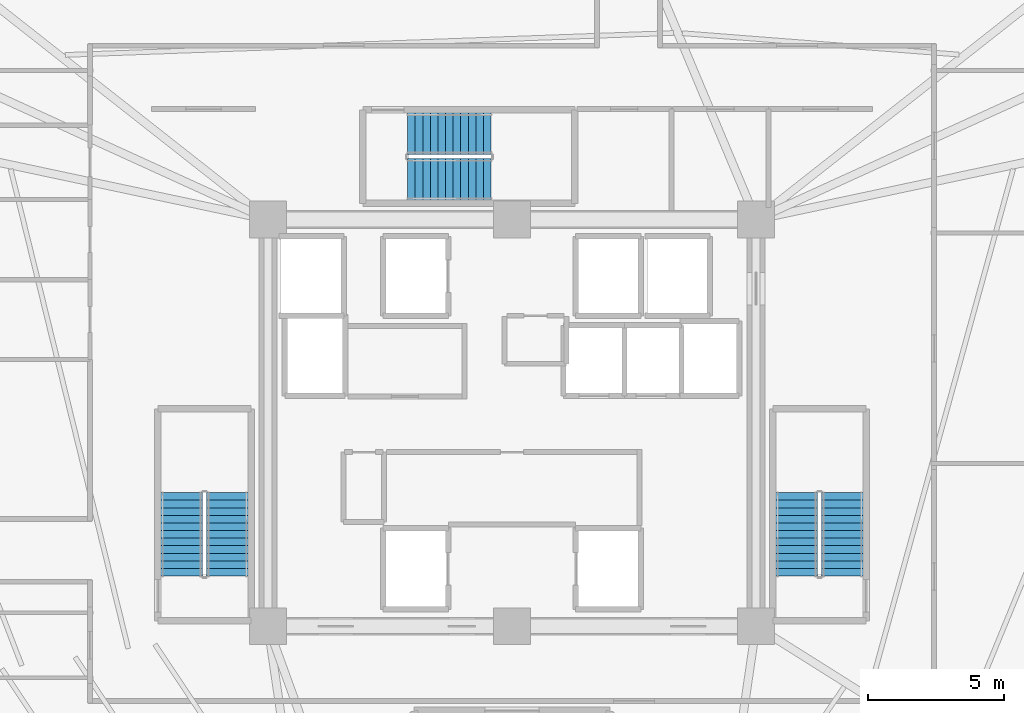
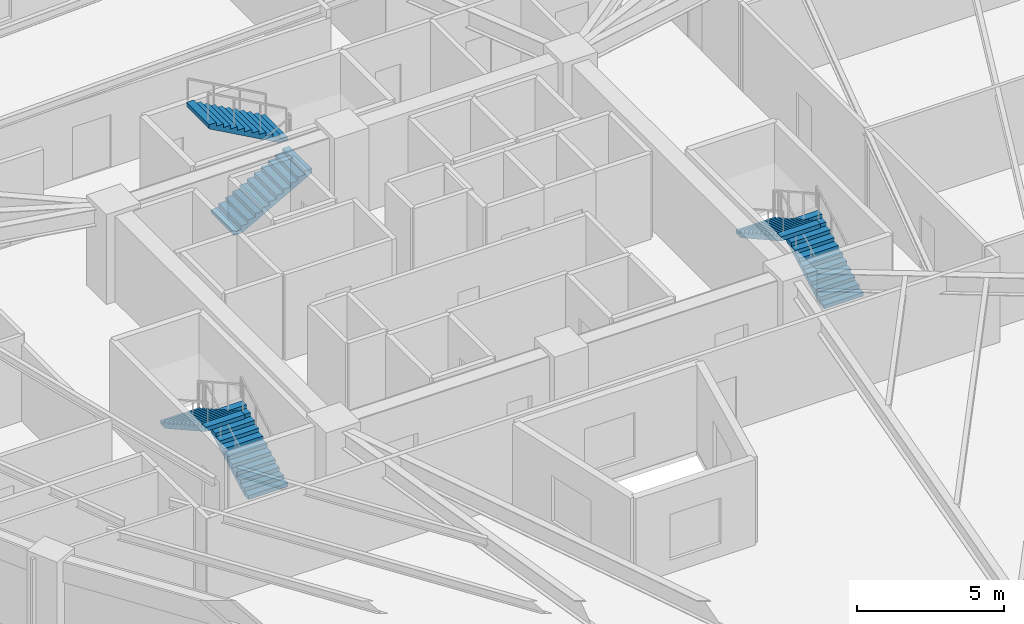
# One storey, part 7 of 8: 6 stair flights, 3 elements without a shape of their own.
"""IFC4 building model written with IfcOpenShell, lengths in metres."""

import ifcopenshell
import ifcopenshell.guid

model = None  # the IFC model being written
_history = None  # IfcOwnerHistory: only IFC2X3 demands one
_inside = {}  # id of a spatial element -> (the spatial element, [elements in it])
_under = {}  # id of a project, library or spatial element -> (it, [spatial elements below it])
_declared = {}  # id of a project -> (the project, [libraries it declares])
_typed = {}  # id of a type object -> (the type object, [elements of that type])
_made_of = {}  # id of a material, layer set ... -> (it, [elements and type objects made of it])


def new_model(schema):
    """Start an empty IFC model of exactly this schema.

    Asked for "IFC4X3", IfcOpenShell would pick the latest addendum, in which some entities
    have other attributes; the version numbers below select the first issue.
    IFC2X3 requires an IfcOwnerHistory on every rooted entity: one is made here for all.
    """
    global model, _history
    if schema == "IFC4X3":
        model = ifcopenshell.file(schema_version=(4, 3, 0, 0))
    else:
        model = ifcopenshell.file(schema=schema)
    _inside.clear()
    _under.clear()
    _declared.clear()
    _typed.clear()
    _made_of.clear()
    _history = None
    if model.schema == "IFC2X3":
        org = make("IfcOrganization", Name="unknown")
        user = make(
            "IfcPersonAndOrganization",
            ThePerson=make("IfcPerson", FamilyName="unknown"),
            TheOrganization=org,
        )
        app = make(
            "IfcApplication",
            ApplicationDeveloper=org,
            Version="unknown",
            ApplicationFullName="unknown",
            ApplicationIdentifier="unknown",
        )
        _history = make(
            "IfcOwnerHistory",
            OwningUser=user,
            OwningApplication=app,
            ChangeAction="ADDED",
            CreationDate=0,
        )
    return model


def make(cls, **values):
    """One entity of the class cls with the attributes given. An attribute that is None is left unset."""
    return model.create_entity(
        cls, **{name: value for name, value in values.items() if value is not None}
    )


def rooted(cls, **values):
    """An entity with a GlobalId (a new one), such as an element, a storey or a relation."""
    return make(cls, GlobalId=ifcopenshell.guid.new(), OwnerHistory=_history, **values)


def si_unit(unit_type, name, prefix=None):
    """IfcSIUnit, for example si_unit("LENGTHUNIT", "METRE", prefix="MILLI")."""
    return make("IfcSIUnit", UnitType=unit_type, Prefix=prefix, Name=name)


def assignment(units):
    """IfcUnitAssignment: the units of a project."""
    return None if units is None else make("IfcUnitAssignment", Units=units)


def point(xyz):
    """IfcCartesianPoint."""
    return None if xyz is None else make("IfcCartesianPoint", Coordinates=xyz)


def direction(xyz):
    """IfcDirection."""
    return None if xyz is None else make("IfcDirection", DirectionRatios=xyz)


def frame(location, z_axis=None, x_axis=None):
    """IfcAxis2Placement3D, a coordinate frame: its origin and axes. An axis left out is left unset."""
    return make(
        "IfcAxis2Placement3D",
        Location=point(location),
        Axis=direction(z_axis),
        RefDirection=direction(x_axis),
    )


def origin():
    """The frame at (0, 0, 0) with its axes left unset."""
    return frame((0.0, 0.0, 0.0))


def place(relative_to, where):
    """IfcLocalPlacement: puts the frame where relative to a parent placement (None: the world)."""
    return make(
        "IfcLocalPlacement", PlacementRelTo=relative_to, RelativePlacement=where
    )


def context(
    kind, dimensions, precision=None, world=None, true_north=None, identifier=None
):
    """IfcGeometricRepresentationContext, for example the 3D "Model" context."""
    return make(
        "IfcGeometricRepresentationContext",
        ContextIdentifier=identifier,
        ContextType=kind,
        CoordinateSpaceDimension=dimensions,
        Precision=precision,
        WorldCoordinateSystem=world,
        TrueNorth=true_north,
    )


def subcontext(parent, identifier, kind, view, scale=None):
    """IfcGeometricRepresentationSubContext, for example "Body" below "Model"."""
    return make(
        "IfcGeometricRepresentationSubContext",
        ContextIdentifier=identifier,
        ContextType=kind,
        ParentContext=parent,
        TargetScale=scale,
        TargetView=view,
    )


def project(units=None, contexts=None):
    """IfcProject with its units and contexts."""
    return rooted(
        "IfcProject",
        Name="project",
        RepresentationContexts=contexts,
        UnitsInContext=assignment(units),
    )


def spatial(cls, under=None, at=None, **own):
    """A site, building, storey or space (cls), placed at a placement, below another one or the project."""
    s = rooted(cls, ObjectPlacement=at, **own)
    if under is not None:
        _under.setdefault(under.id(), (under, []))[1].append(s)
    return s


def polyline(points):
    """IfcPolyline through the points."""
    return make("IfcPolyline", Points=[point(p) for p in points])


def outline(outer, holes=None, kind="AREA"):
    """IfcArbitraryClosedProfileDef: a profile drawn as a closed curve; with holes, ...WithVoids."""
    if holes is None:
        return make("IfcArbitraryClosedProfileDef", ProfileType=kind, OuterCurve=outer)
    return make(
        "IfcArbitraryProfileDefWithVoids",
        ProfileType=kind,
        OuterCurve=outer,
        InnerCurves=holes,
    )


def extrude(swept, where, along, depth):
    """IfcExtrudedAreaSolid: the profile swept, set in the frame where, extruded along a direction by depth."""
    return make(
        "IfcExtrudedAreaSolid",
        SweptArea=swept,
        Position=where,
        ExtrudedDirection=direction(along),
        Depth=depth,
    )


def shape(context_of_items, identifier, shape_type, items):
    """IfcShapeRepresentation: the items that make up one representation, for example the "Body"."""
    return make(
        "IfcShapeRepresentation",
        ContextOfItems=context_of_items,
        RepresentationIdentifier=identifier,
        RepresentationType=shape_type,
        Items=items,
    )


def material(Name=None, Category=None):
    """IfcMaterial."""
    return make("IfcMaterial", Name=Name, Category=Category)


def made_of(thing, what):
    """Note that an element or type object is made of a material, layer set ...; save() writes the relation."""
    if what is not None:
        _made_of.setdefault(what.id(), (what, []))[1].append(thing)
    return thing


def type_object(cls, material=None, **own):
    """A type object (cls), such as IfcWallType, which elements share."""
    return made_of(rooted(cls, **own), material)


def element(
    cls,
    number,
    at=None,
    inside=None,
    cuts=None,
    type_object=None,
    material=None,
    context=None,
    identifier="Body",
    shape_type=None,
    held_by="IfcProductDefinitionShape",
    body=None,
    shapes=None,
    **own,
):
    """One element of the class cls, such as IfcWall. Its Tag is "e" and its number.

    at: its placement. inside: the storey or other place that contains it. cuts: it is an
    opening in that element (IfcRelVoidsElement). A single representation is given by context,
    identifier, shape_type and body (its items); several are given by shapes. held_by: the class
    of the entity that holds the representations. save() writes the other relations.
    """
    e = rooted(cls, Tag="e%d" % number, ObjectPlacement=at, **own)
    if body is not None:
        shapes = [shape(context, identifier, shape_type, body)]
    if shapes is not None:
        e.Representation = make(held_by, Representations=shapes)
    if inside is not None:
        _inside.setdefault(inside.id(), (inside, []))[1].append(e)
    if cuts is not None:
        rooted(
            "IfcRelVoidsElement", RelatingBuildingElement=cuts, RelatedOpeningElement=e
        )
    if type_object is not None:
        _typed.setdefault(type_object.id(), (type_object, []))[1].append(e)
    return made_of(e, material)


def aggregate(whole, parts):
    """IfcRelAggregates: a whole, such as a stair, and the parts it consists of."""
    return rooted("IfcRelAggregates", RelatingObject=whole, RelatedObjects=parts)


def save(model, path):
    """Write the relations noted so far, then the file.

    IfcRelAggregates (storeys below a building ...), IfcRelContainedInSpatialStructure (elements
    in a storey), IfcRelDefinesByType, IfcRelAssociatesMaterial and IfcRelDeclares: one each for
    every whole, place, type object, material and project.
    """
    for whole, parts in _under.values():
        aggregate(whole, parts)
    for where, things in _inside.values():
        rooted(
            "IfcRelContainedInSpatialStructure",
            RelatedElements=things,
            RelatingStructure=where,
        )
    for kind, things in _typed.values():
        rooted("IfcRelDefinesByType", RelatedObjects=things, RelatingType=kind)
    for what, things in _made_of.values():
        rooted("IfcRelAssociatesMaterial", RelatedObjects=things, RelatingMaterial=what)
    for by, libraries in _declared.values():
        rooted("IfcRelDeclares", RelatingContext=by, RelatedDefinitions=libraries)
    model.write(path)


model = new_model("IFC4")

# Units and contexts
model_context = context("Model", 3, precision=1e-05, world=origin(), true_north=direction((0.0, 1.0)))
body_context = subcontext(model_context, "Body", "Model", "MODEL_VIEW")
ifc_project = project(units=[si_unit("LENGTHUNIT", "METRE"), si_unit("AREAUNIT", "SQUARE_METRE"), si_unit("VOLUMEUNIT", "CUBIC_METRE"), si_unit("PLANEANGLEUNIT", "RADIAN"), si_unit("MASSUNIT", "GRAM", prefix="KILO")], contexts=[model_context])

# Site, building, storey
site_placement = place(None, origin())
site = spatial("IfcSite", under=ifc_project, at=site_placement, CompositionType="ELEMENT")
building_placement = place(site_placement, origin())
building = spatial("IfcBuilding", under=site, at=building_placement, Name="Liaohun Quay Tower", CompositionType="ELEMENT")
storey_placement = place(building_placement, frame((0.0, 0.0, 262.5)))
storey = spatial("IfcBuildingStorey", under=building, at=storey_placement, Name="L68", CompositionType="ELEMENT", Elevation=262.5)

# Stair, stair flights
ifc_material = material(Name="Concrete C45", Category="concrete")
stair_type = type_object("IfcStairType", Name="STR-CORE-OFF", PredefinedType="HALF_TURN_STAIR", material=ifc_material)
stair_1_placement = place(storey_placement, origin())
stair_1 = element("IfcStair", 1, at=stair_1_placement, inside=storey, type_object=stair_type, Name="L68 Smokeproof Core Exit Stair ST-1", PredefinedType="HALF_TURN_STAIR")
stair_flight_type = type_object("IfcStairFlightType", Name="FLT-CORE-155", PredefinedType="STRAIGHT", material=ifc_material)
stair_flight_1_placement = place(storey_placement, frame((49.5048828125, 48.35009765625, 0.0), z_axis=(0.0, 0.0, 1.0), x_axis=(0.0, 1.0, 0.0)))
stair_flight_1 = element("IfcStairFlight", 2, at=stair_flight_1_placement, type_object=stair_flight_type, Name="ST-1 flight 1", NumberOfRisers=12, NumberOfTreads=11, PredefinedType="STRAIGHT", RiserHeight=0.15625, TreadLength=0.28, context=body_context, shape_type="SweptSolid", body=[
    extrude(outline(polyline([(0.0, 0.0), (0.0, 0.15625), (0.280029296875, 0.15625), (0.280029296875, 0.3125), (0.56005859375, 0.3125), (0.56005859375, 0.46875), (0.840087890625, 0.46875), (0.840087890625, 0.625), (1.1201171875, 0.625), (1.1201171875, 0.78125), (1.39990234375, 0.78125), (1.39990234375, 0.9375), (1.679931640625, 0.9375), (1.679931640625, 1.09375), (1.9599609375, 1.09375), (1.9599609375, 1.25), (2.239990234375, 1.25), (2.239990234375, 1.40625), (2.52001953125, 1.40625), (2.52001953125, 1.5625), (2.800048828125, 1.5625), (2.800048828125, 1.71875), (3.080078125, 1.71875), (3.080078125, 1.875), (3.080078125, 1.547119140625), (0.3076171875, 0.0), (0.0, 0.0)])), frame((0.0, 0.77490234375, 0.0), z_axis=(0.0, -1.0, 0.0), x_axis=(1.0, 0.0, 0.0)), (0.0, 0.0, 1.0), 1.550048828125),
])
stair_flight_2_placement = place(storey_placement, frame((47.81494140625, 51.429931640625, 1.875), z_axis=(0.0, 0.0, 1.0), x_axis=(0.0, -1.0, 0.0)))
stair_flight_2 = element("IfcStairFlight", 3, at=stair_flight_2_placement, type_object=stair_flight_type, Name="ST-1 flight 2", NumberOfRisers=12, NumberOfTreads=11, PredefinedType="STRAIGHT", RiserHeight=0.15625, TreadLength=0.28, context=body_context, shape_type="SweptSolid", body=[
    extrude(outline(polyline([(0.0, 0.0), (0.0, 0.15625), (0.280029296875, 0.15625), (0.280029296875, 0.3125), (0.56005859375, 0.3125), (0.56005859375, 0.46875), (0.840087890625, 0.46875), (0.840087890625, 0.625), (1.1201171875, 0.625), (1.1201171875, 0.78125), (1.39990234375, 0.78125), (1.39990234375, 0.9375), (1.679931640625, 0.9375), (1.679931640625, 1.09375), (1.9599609375, 1.09375), (1.9599609375, 1.25), (2.239990234375, 1.25), (2.239990234375, 1.40625), (2.52001953125, 1.40625), (2.52001953125, 1.5625), (2.800048828125, 1.5625), (2.800048828125, 1.71875), (3.080078125, 1.71875), (3.080078125, 1.875), (3.080078125, 1.547119140625), (0.3076171875, 0.0), (0.0, 0.0)])), frame((0.0, 0.77490234375, 0.0), z_axis=(0.0, -1.0, 0.0), x_axis=(1.0, 0.0, 0.0)), (0.0, 0.0, 1.0), 1.550048828125),
])
aggregate(stair_1, [stair_flight_1, stair_flight_2])

stair_2_placement = place(storey_placement, origin())
stair_2 = element("IfcStair", 4, at=stair_2_placement, inside=storey, type_object=stair_type, Name="L68 Smokeproof Core Exit Stair ST-2", PredefinedType="HALF_TURN_STAIR")
stair_flight_3_placement = place(storey_placement, frame((72.18505859375, 48.35009765625, 0.0), z_axis=(0.0, 0.0, 1.0), x_axis=(0.0, 1.0, 0.0)))
stair_flight_3 = element("IfcStairFlight", 5, at=stair_flight_3_placement, type_object=stair_flight_type, Name="ST-2 flight 1", NumberOfRisers=12, NumberOfTreads=11, PredefinedType="STRAIGHT", RiserHeight=0.15625, TreadLength=0.28, context=body_context, shape_type="SweptSolid", body=[
    extrude(outline(polyline([(0.0, 0.0), (0.0, 0.15625), (0.280029296875, 0.15625), (0.280029296875, 0.3125), (0.56005859375, 0.3125), (0.56005859375, 0.46875), (0.840087890625, 0.46875), (0.840087890625, 0.625), (1.1201171875, 0.625), (1.1201171875, 0.78125), (1.39990234375, 0.78125), (1.39990234375, 0.9375), (1.679931640625, 0.9375), (1.679931640625, 1.09375), (1.9599609375, 1.09375), (1.9599609375, 1.25), (2.239990234375, 1.25), (2.239990234375, 1.40625), (2.52001953125, 1.40625), (2.52001953125, 1.5625), (2.800048828125, 1.5625), (2.800048828125, 1.71875), (3.080078125, 1.71875), (3.080078125, 1.875), (3.080078125, 1.547119140625), (0.3076171875, 0.0), (0.0, 0.0)])), frame((0.0, 0.77490234375, 0.0), z_axis=(0.0, -1.0, 0.0), x_axis=(1.0, 0.0, 0.0)), (0.0, 0.0, 1.0), 1.550048828125),
])
stair_flight_4_placement = place(storey_placement, frame((70.4951171875, 51.429931640625, 1.875), z_axis=(0.0, 0.0, 1.0), x_axis=(0.0, -1.0, 0.0)))
stair_flight_4 = element("IfcStairFlight", 6, at=stair_flight_4_placement, type_object=stair_flight_type, Name="ST-2 flight 2", NumberOfRisers=12, NumberOfTreads=11, PredefinedType="STRAIGHT", RiserHeight=0.15625, TreadLength=0.28, context=body_context, shape_type="SweptSolid", body=[
    extrude(outline(polyline([(0.0, 0.0), (0.0, 0.15625), (0.280029296875, 0.15625), (0.280029296875, 0.3125), (0.56005859375, 0.3125), (0.56005859375, 0.46875), (0.840087890625, 0.46875), (0.840087890625, 0.625), (1.1201171875, 0.625), (1.1201171875, 0.78125), (1.39990234375, 0.78125), (1.39990234375, 0.9375), (1.679931640625, 0.9375), (1.679931640625, 1.09375), (1.9599609375, 1.09375), (1.9599609375, 1.25), (2.239990234375, 1.25), (2.239990234375, 1.40625), (2.52001953125, 1.40625), (2.52001953125, 1.5625), (2.800048828125, 1.5625), (2.800048828125, 1.71875), (3.080078125, 1.71875), (3.080078125, 1.875), (3.080078125, 1.547119140625), (0.3076171875, 0.0), (0.0, 0.0)])), frame((0.0, 0.77490234375, 0.0), z_axis=(0.0, -1.0, 0.0), x_axis=(1.0, 0.0, 0.0)), (0.0, 0.0, 1.0), 1.550048828125),
])
aggregate(stair_2, [stair_flight_3, stair_flight_4])

stair_3_placement = place(storey_placement, origin())
stair_3 = element("IfcStair", 7, at=stair_3_placement, inside=storey, type_object=stair_type, Name="L68 Smokeproof Core Exit Stair ST-3", PredefinedType="HALF_TURN_STAIR")
stair_flight_5_placement = place(storey_placement, frame((56.14990234375, 62.97509765625, 0.0), z_axis=(0.0, 0.0, 1.0), x_axis=(1.0, 0.0, 0.0)))
stair_flight_5 = element("IfcStairFlight", 8, at=stair_flight_5_placement, type_object=stair_flight_type, Name="ST-3 flight 1", NumberOfRisers=12, NumberOfTreads=11, PredefinedType="STRAIGHT", RiserHeight=0.15625, TreadLength=0.28, context=body_context, shape_type="SweptSolid", body=[
    extrude(outline(polyline([(0.0, 0.0), (0.0, 0.15625), (0.280029296875, 0.15625), (0.280029296875, 0.3125), (0.56005859375, 0.3125), (0.56005859375, 0.46875), (0.840087890625, 0.46875), (0.840087890625, 0.625), (1.1201171875, 0.625), (1.1201171875, 0.78125), (1.39990234375, 0.78125), (1.39990234375, 0.9375), (1.679931640625, 0.9375), (1.679931640625, 1.09375), (1.9599609375, 1.09375), (1.9599609375, 1.25), (2.239990234375, 1.25), (2.239990234375, 1.40625), (2.52001953125, 1.40625), (2.52001953125, 1.5625), (2.800048828125, 1.5625), (2.800048828125, 1.71875), (3.080078125, 1.71875), (3.080078125, 1.875), (3.080078125, 1.547119140625), (0.3076171875, 0.0), (0.0, 0.0)])), frame((0.0, 0.77490234375, 0.0), z_axis=(0.0, -1.0, 0.0), x_axis=(1.0, 0.0, 0.0)), (0.0, 0.0, 1.0), 1.550048828125),
])
stair_flight_6_placement = place(storey_placement, frame((59.22998046875, 64.6650390625, 1.875), z_axis=(0.0, 0.0, 1.0), x_axis=(-1.0, 0.0, 0.0)))
stair_flight_6 = element("IfcStairFlight", 9, at=stair_flight_6_placement, type_object=stair_flight_type, Name="ST-3 flight 2", NumberOfRisers=12, NumberOfTreads=11, PredefinedType="STRAIGHT", RiserHeight=0.15625, TreadLength=0.28, context=body_context, shape_type="SweptSolid", body=[
    extrude(outline(polyline([(0.0, 0.0), (0.0, 0.15625), (0.280029296875, 0.15625), (0.280029296875, 0.3125), (0.56005859375, 0.3125), (0.56005859375, 0.46875), (0.840087890625, 0.46875), (0.840087890625, 0.625), (1.1201171875, 0.625), (1.1201171875, 0.78125), (1.39990234375, 0.78125), (1.39990234375, 0.9375), (1.679931640625, 0.9375), (1.679931640625, 1.09375), (1.9599609375, 1.09375), (1.9599609375, 1.25), (2.239990234375, 1.25), (2.239990234375, 1.40625), (2.52001953125, 1.40625), (2.52001953125, 1.5625), (2.800048828125, 1.5625), (2.800048828125, 1.71875), (3.080078125, 1.71875), (3.080078125, 1.875), (3.080078125, 1.547119140625), (0.3076171875, 0.0), (0.0, 0.0)])), frame((0.0, 0.77490234375, 0.0), z_axis=(0.0, -1.0, 0.0), x_axis=(1.0, 0.0, 0.0)), (0.0, 0.0, 1.0), 1.550048828125),
])
aggregate(stair_3, [stair_flight_5, stair_flight_6])

save(model, "model.ifc")
